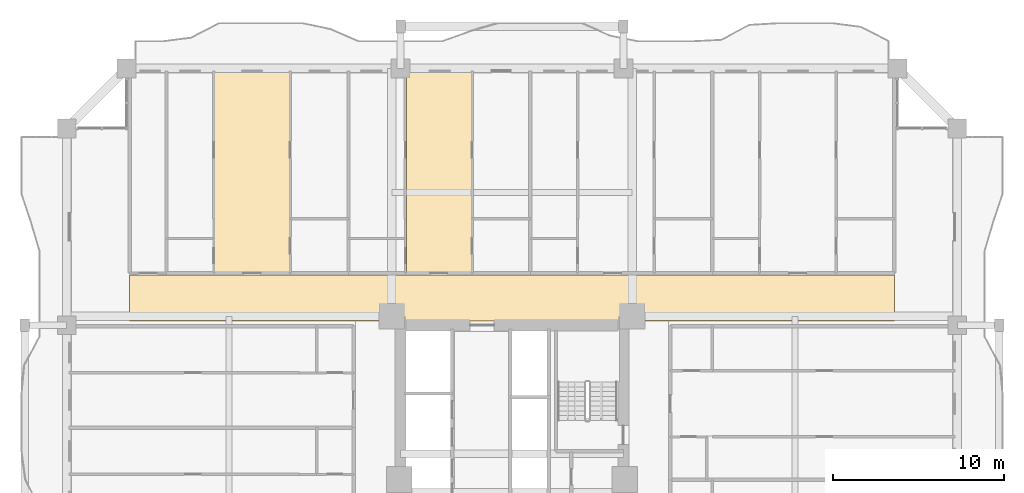
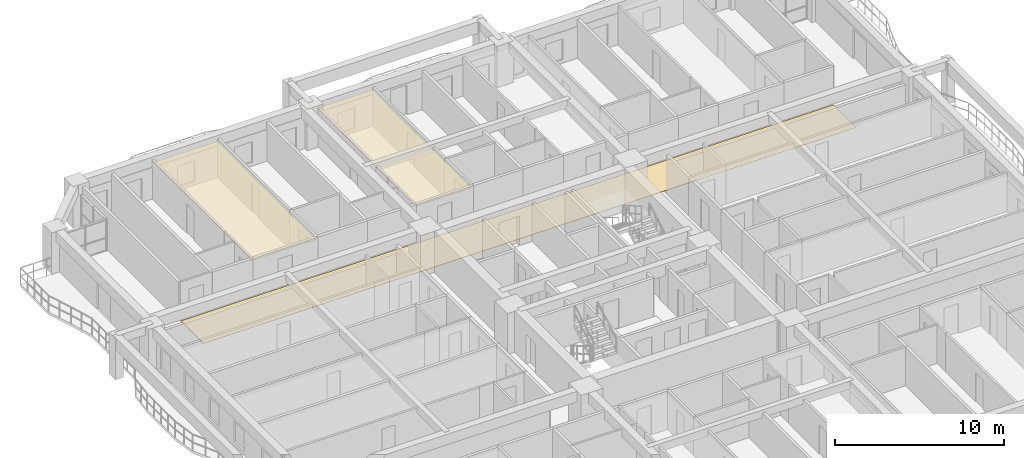
# One storey, part 26 of 27: 3 coverings.
"""IFC4 building model written with IfcOpenShell, lengths in metres."""

from ifc_helpers import new_model, si_unit, direction, frame, origin, place, context, subcontext, project, spatial, polyline, outline, extrude, material, layer, layer_set, type_object, element, save


model = new_model("IFC4")

# Units and contexts
model_context = context("Model", 3, precision=1e-05, world=origin(), true_north=direction((0.0, 1.0)))
body_context = subcontext(model_context, "Body", "Model", "MODEL_VIEW")
ifc_project = project(units=[si_unit("LENGTHUNIT", "METRE"), si_unit("AREAUNIT", "SQUARE_METRE"), si_unit("VOLUMEUNIT", "CUBIC_METRE"), si_unit("PLANEANGLEUNIT", "RADIAN"), si_unit("MASSUNIT", "GRAM", prefix="KILO")], contexts=[model_context])

# Site, building, storey
site_placement = place(None, origin())
site = spatial("IfcSite", under=ifc_project, at=site_placement, CompositionType="ELEMENT")
building_placement = place(site_placement, origin())
building = spatial("IfcBuilding", under=site, at=building_placement, Name="Saelheon Loggia Tower", CompositionType="ELEMENT")
storey_placement = place(building_placement, frame((0.0, 0.0, 34.39990234375)))
storey = spatial("IfcBuildingStorey", under=building, at=storey_placement, Name="L10", CompositionType="ELEMENT", Elevation=34.39990234375)

# Coverings
ifc_material_1 = material(Name="Mineral-Fibre Acoustic Ceiling Board", Category="gypsum")
ifc_layer_1 = layer(ifc_material_1, 0.02490234375)
ifc_layer_set_1 = layer_set([ifc_layer_1], Name="Mineral-Fibre Acoustic Ceiling Board")
covering_type_1 = type_object("IfcCoveringType", Name="Cov_Ceiling_Acoustic", PredefinedType="CEILING", material=ifc_layer_set_1)
covering_1_placement = place(storey_placement, frame((0.0, 0.0, 2.53515625)))
element("IfcCovering", 1, at=covering_1_placement, inside=storey, type_object=covering_type_1, Name="L10 Acoustic Suspended Ceiling", PredefinedType="CEILING", context=body_context, shape_type="SweptSolid", body=[
    extrude(outline(polyline([(20.641845703125, 39.10009765625), (25.00341796875, 39.10009765625), (25.00341796875, 50.800048828125), (20.641845703125, 50.800048828125), (20.641845703125, 39.10009765625)])), origin(), (0.0, 0.0, 1.0), 0.02490234375),
])
covering_2_placement = place(storey_placement, frame((0.0, 0.0, 2.53515625)))
element("IfcCovering", 2, at=covering_2_placement, inside=storey, type_object=covering_type_1, Name="L10 Acoustic Suspended Ceiling", PredefinedType="CEILING", context=body_context, shape_type="SweptSolid", body=[
    extrude(outline(polyline([(31.830078125, 39.10009765625), (35.625732421875, 39.10009765625), (35.625732421875, 50.800048828125), (31.830078125, 50.800048828125), (31.830078125, 39.10009765625)])), origin(), (0.0, 0.0, 1.0), 0.02490234375),
])
ifc_material_2 = material(Name="Vitrified Porcelain Floor Tile", Category="ceramic")
ifc_layer_2 = layer(ifc_material_2, 0.02001953125)
ifc_layer_set_2 = layer_set([ifc_layer_2], Name="Vitrified Porcelain Floor Tile")
covering_type_2 = type_object("IfcCoveringType", Name="Cov_Floor_Porcelain", PredefinedType="FLOORING", material=ifc_layer_set_2)
covering_3_placement = place(storey_placement, origin())
element("IfcCovering", 3, at=covering_3_placement, inside=storey, type_object=covering_type_2, Name="L10 Corridor Porcelain Flooring", PredefinedType="FLOORING", context=body_context, shape_type="SweptSolid", body=[
    extrude(outline(polyline([(15.679931640625, 36.25), (60.320068359375, 36.25), (60.320068359375, 38.949951171875), (15.679931640625, 38.949951171875), (15.679931640625, 36.25)])), origin(), (0.0, 0.0, 1.0), 0.02001953125),
])

save(model, "model.ifc")
